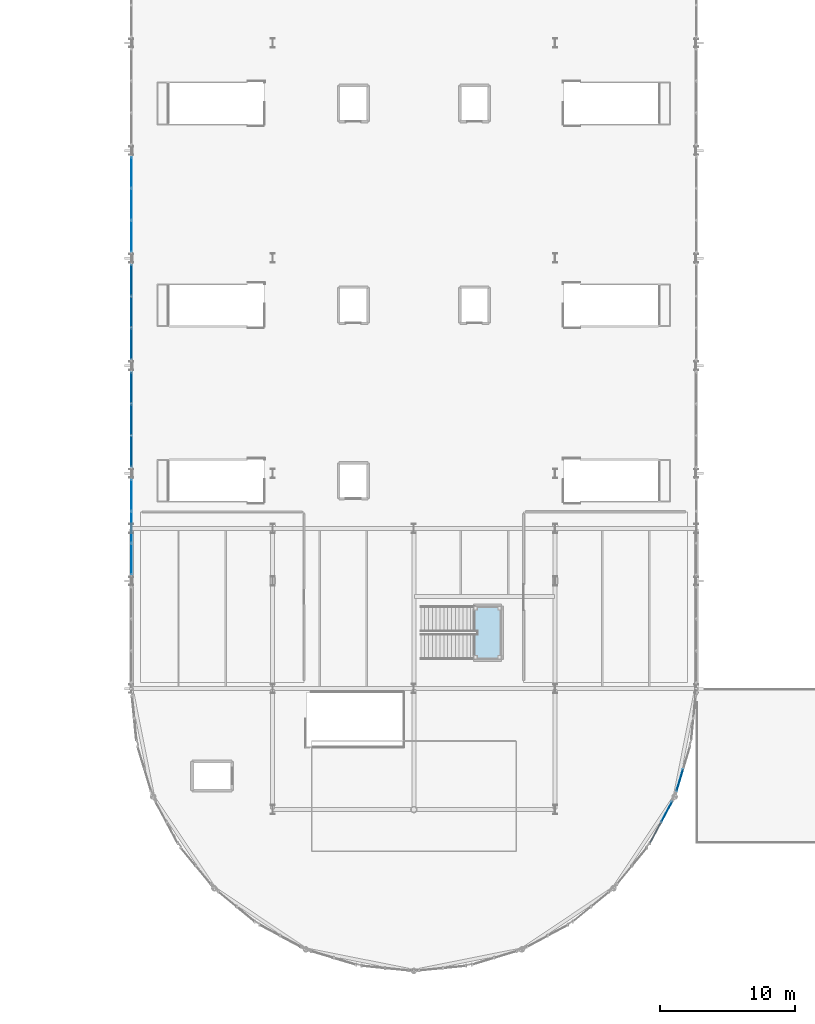
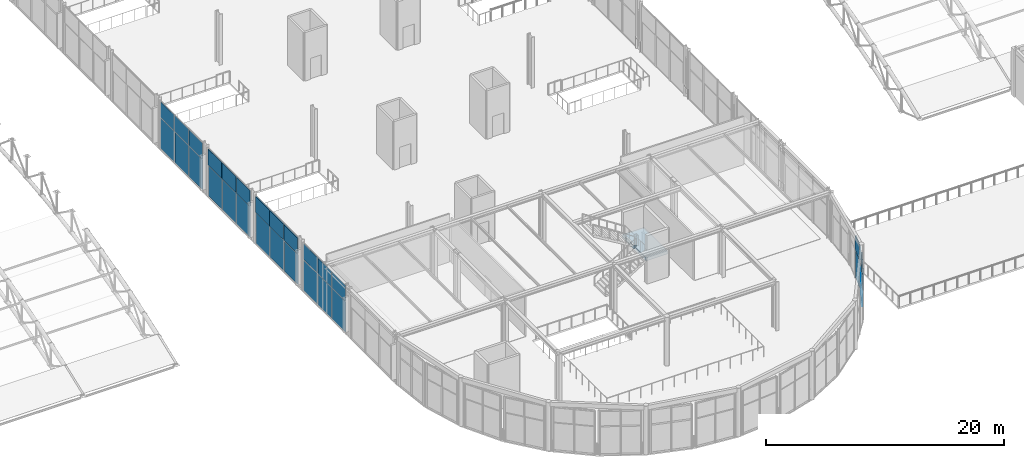
# One storey, part 97 of 195: 29 plates, 1 slab, 7 elements without a shape of their own.
"""IFC4 building model written with IfcOpenShell, lengths in metres."""

import ifcopenshell
import ifcopenshell.guid

model = None  # the IFC model being written
_history = None  # IfcOwnerHistory: only IFC2X3 demands one
_inside = {}  # id of a spatial element -> (the spatial element, [elements in it])
_under = {}  # id of a project, library or spatial element -> (it, [spatial elements below it])
_declared = {}  # id of a project -> (the project, [libraries it declares])
_typed = {}  # id of a type object -> (the type object, [elements of that type])
_made_of = {}  # id of a material, layer set ... -> (it, [elements and type objects made of it])


def new_model(schema):
    """Start an empty IFC model of exactly this schema.

    Asked for "IFC4X3", IfcOpenShell would pick the latest addendum, in which some entities
    have other attributes; the version numbers below select the first issue.
    IFC2X3 requires an IfcOwnerHistory on every rooted entity: one is made here for all.
    """
    global model, _history
    if schema == "IFC4X3":
        model = ifcopenshell.file(schema_version=(4, 3, 0, 0))
    else:
        model = ifcopenshell.file(schema=schema)
    _inside.clear()
    _under.clear()
    _declared.clear()
    _typed.clear()
    _made_of.clear()
    _history = None
    if model.schema == "IFC2X3":
        org = make("IfcOrganization", Name="unknown")
        user = make(
            "IfcPersonAndOrganization",
            ThePerson=make("IfcPerson", FamilyName="unknown"),
            TheOrganization=org,
        )
        app = make(
            "IfcApplication",
            ApplicationDeveloper=org,
            Version="unknown",
            ApplicationFullName="unknown",
            ApplicationIdentifier="unknown",
        )
        _history = make(
            "IfcOwnerHistory",
            OwningUser=user,
            OwningApplication=app,
            ChangeAction="ADDED",
            CreationDate=0,
        )
    return model


def make(cls, **values):
    """One entity of the class cls with the attributes given. An attribute that is None is left unset."""
    return model.create_entity(
        cls, **{name: value for name, value in values.items() if value is not None}
    )


def rooted(cls, **values):
    """An entity with a GlobalId (a new one), such as an element, a storey or a relation."""
    return make(cls, GlobalId=ifcopenshell.guid.new(), OwnerHistory=_history, **values)


def si_unit(unit_type, name, prefix=None):
    """IfcSIUnit, for example si_unit("LENGTHUNIT", "METRE", prefix="MILLI")."""
    return make("IfcSIUnit", UnitType=unit_type, Prefix=prefix, Name=name)


def assignment(units):
    """IfcUnitAssignment: the units of a project."""
    return None if units is None else make("IfcUnitAssignment", Units=units)


def point(xyz):
    """IfcCartesianPoint."""
    return None if xyz is None else make("IfcCartesianPoint", Coordinates=xyz)


def direction(xyz):
    """IfcDirection."""
    return None if xyz is None else make("IfcDirection", DirectionRatios=xyz)


def frame(location, z_axis=None, x_axis=None):
    """IfcAxis2Placement3D, a coordinate frame: its origin and axes. An axis left out is left unset."""
    return make(
        "IfcAxis2Placement3D",
        Location=point(location),
        Axis=direction(z_axis),
        RefDirection=direction(x_axis),
    )


def frame_2d(location, x_axis=None):
    """IfcAxis2Placement2D, a coordinate frame in the plane: its origin and x axis."""
    return make(
        "IfcAxis2Placement2D", Location=point(location), RefDirection=direction(x_axis)
    )


def origin():
    """The frame at (0, 0, 0) with its axes left unset."""
    return frame((0.0, 0.0, 0.0))


def origin_2d():
    """The frame at (0, 0) in the plane with its x axis left unset."""
    return frame_2d((0.0, 0.0))


def place(relative_to, where):
    """IfcLocalPlacement: puts the frame where relative to a parent placement (None: the world)."""
    return make(
        "IfcLocalPlacement", PlacementRelTo=relative_to, RelativePlacement=where
    )


def context(
    kind, dimensions, precision=None, world=None, true_north=None, identifier=None
):
    """IfcGeometricRepresentationContext, for example the 3D "Model" context."""
    return make(
        "IfcGeometricRepresentationContext",
        ContextIdentifier=identifier,
        ContextType=kind,
        CoordinateSpaceDimension=dimensions,
        Precision=precision,
        WorldCoordinateSystem=world,
        TrueNorth=true_north,
    )


def subcontext(parent, identifier, kind, view, scale=None):
    """IfcGeometricRepresentationSubContext, for example "Body" below "Model"."""
    return make(
        "IfcGeometricRepresentationSubContext",
        ContextIdentifier=identifier,
        ContextType=kind,
        ParentContext=parent,
        TargetScale=scale,
        TargetView=view,
    )


def project(units=None, contexts=None):
    """IfcProject with its units and contexts."""
    return rooted(
        "IfcProject",
        Name="project",
        RepresentationContexts=contexts,
        UnitsInContext=assignment(units),
    )


def spatial(cls, under=None, at=None, **own):
    """A site, building, storey or space (cls), placed at a placement, below another one or the project."""
    s = rooted(cls, ObjectPlacement=at, **own)
    if under is not None:
        _under.setdefault(under.id(), (under, []))[1].append(s)
    return s


def polyline(points):
    """IfcPolyline through the points."""
    return make("IfcPolyline", Points=[point(p) for p in points])


def profile(cls, at=None, kind="AREA", **sizes):
    """A parametric profile (cls). Its sizes go by their IFC names, for example OverallWidth=200.0."""
    return make(cls, ProfileType=kind, Position=at, **sizes)


def rectangle(**sizes):
    """IfcRectangleProfileDef."""
    return profile("IfcRectangleProfileDef", **sizes)


def outline(outer, holes=None, kind="AREA"):
    """IfcArbitraryClosedProfileDef: a profile drawn as a closed curve; with holes, ...WithVoids."""
    if holes is None:
        return make("IfcArbitraryClosedProfileDef", ProfileType=kind, OuterCurve=outer)
    return make(
        "IfcArbitraryProfileDefWithVoids",
        ProfileType=kind,
        OuterCurve=outer,
        InnerCurves=holes,
    )


def extrude(swept, where, along, depth):
    """IfcExtrudedAreaSolid: the profile swept, set in the frame where, extruded along a direction by depth."""
    return make(
        "IfcExtrudedAreaSolid",
        SweptArea=swept,
        Position=where,
        ExtrudedDirection=direction(along),
        Depth=depth,
    )


def shape(context_of_items, identifier, shape_type, items):
    """IfcShapeRepresentation: the items that make up one representation, for example the "Body"."""
    return make(
        "IfcShapeRepresentation",
        ContextOfItems=context_of_items,
        RepresentationIdentifier=identifier,
        RepresentationType=shape_type,
        Items=items,
    )


def material(Name=None, Category=None):
    """IfcMaterial."""
    return make("IfcMaterial", Name=Name, Category=Category)


def layer(
    of_material, thickness, ventilated=None, Name=None, Category=None, Priority=None
):
    """IfcMaterialLayer: one layer of a wall or slab, of a material (None: an air gap)."""
    return make(
        "IfcMaterialLayer",
        Material=of_material,
        LayerThickness=thickness,
        IsVentilated=ventilated,
        Name=Name,
        Category=Category,
        Priority=Priority,
    )


def layer_set(layers, Name=None):
    """IfcMaterialLayerSet."""
    return make("IfcMaterialLayerSet", MaterialLayers=layers, LayerSetName=Name)


def made_of(thing, what):
    """Note that an element or type object is made of a material, layer set ...; save() writes the relation."""
    if what is not None:
        _made_of.setdefault(what.id(), (what, []))[1].append(thing)
    return thing


def type_object(cls, material=None, **own):
    """A type object (cls), such as IfcWallType, which elements share."""
    return made_of(rooted(cls, **own), material)


def element(
    cls,
    number,
    at=None,
    inside=None,
    cuts=None,
    type_object=None,
    material=None,
    context=None,
    identifier="Body",
    shape_type=None,
    held_by="IfcProductDefinitionShape",
    body=None,
    shapes=None,
    **own,
):
    """One element of the class cls, such as IfcWall. Its Tag is "e" and its number.

    at: its placement. inside: the storey or other place that contains it. cuts: it is an
    opening in that element (IfcRelVoidsElement). A single representation is given by context,
    identifier, shape_type and body (its items); several are given by shapes. held_by: the class
    of the entity that holds the representations. save() writes the other relations.
    """
    e = rooted(cls, Tag="e%d" % number, ObjectPlacement=at, **own)
    if body is not None:
        shapes = [shape(context, identifier, shape_type, body)]
    if shapes is not None:
        e.Representation = make(held_by, Representations=shapes)
    if inside is not None:
        _inside.setdefault(inside.id(), (inside, []))[1].append(e)
    if cuts is not None:
        rooted(
            "IfcRelVoidsElement", RelatingBuildingElement=cuts, RelatedOpeningElement=e
        )
    if type_object is not None:
        _typed.setdefault(type_object.id(), (type_object, []))[1].append(e)
    return made_of(e, material)


def aggregate(whole, parts):
    """IfcRelAggregates: a whole, such as a stair, and the parts it consists of."""
    return rooted("IfcRelAggregates", RelatingObject=whole, RelatedObjects=parts)


def save(model, path):
    """Write the relations noted so far, then the file.

    IfcRelAggregates (storeys below a building ...), IfcRelContainedInSpatialStructure (elements
    in a storey), IfcRelDefinesByType, IfcRelAssociatesMaterial and IfcRelDeclares: one each for
    every whole, place, type object, material and project.
    """
    for whole, parts in _under.values():
        aggregate(whole, parts)
    for where, things in _inside.values():
        rooted(
            "IfcRelContainedInSpatialStructure",
            RelatedElements=things,
            RelatingStructure=where,
        )
    for kind, things in _typed.values():
        rooted("IfcRelDefinesByType", RelatedObjects=things, RelatingType=kind)
    for what, things in _made_of.values():
        rooted("IfcRelAssociatesMaterial", RelatedObjects=things, RelatingMaterial=what)
    for by, libraries in _declared.values():
        rooted("IfcRelDeclares", RelatingContext=by, RelatedDefinitions=libraries)
    model.write(path)


model = new_model("IFC4")

# Units and contexts
model_context = context("Model", 3, precision=1e-05, world=origin(), true_north=direction((0.0, 1.0)))
body_context = subcontext(model_context, "Body", "Model", "MODEL_VIEW")
ifc_project = project(units=[si_unit("LENGTHUNIT", "METRE"), si_unit("AREAUNIT", "SQUARE_METRE"), si_unit("VOLUMEUNIT", "CUBIC_METRE"), si_unit("PLANEANGLEUNIT", "RADIAN"), si_unit("MASSUNIT", "GRAM", prefix="KILO")], contexts=[model_context])

# Site, building, storey
site_placement = place(None, origin())
site = spatial("IfcSite", under=ifc_project, at=site_placement, CompositionType="ELEMENT")
building_placement = place(site_placement, origin())
building = spatial("IfcBuilding", under=site, at=building_placement, Name="Marlcrest Central Station", CompositionType="ELEMENT")
storey_placement = place(building_placement, frame((0.0, 0.0, 9.800048828125)))
storey = spatial("IfcBuildingStorey", under=building, at=storey_placement, Name="L02", CompositionType="ELEMENT", Elevation=9.800048828125)

# Curtain wall, plate
ifc_material_1 = material(Name="Anodised aluminium and hurricane laminated glass", Category="aluminium")
ifc_layer_1 = layer(ifc_material_1, 0.219970703125, Name="CW-U1")
ifc_layer_set_1 = layer_set([ifc_layer_1], Name="Anodised aluminium and hurricane laminated glass")
curtain_wall_type = type_object("IfcCurtainWallType", Name="CW-U1", PredefinedType="USERDEFINED", material=ifc_layer_set_1)
curtain_wall_1_placement = place(storey_placement, origin())
curtain_wall_1 = element("IfcCurtainWall", 1, at=curtain_wall_1_placement, inside=storey, type_object=curtain_wall_type, Name="cw-L02-0038", ObjectType="UNITISED_CURTAIN_WALL", PredefinedType="USERDEFINED")
ifc_material_2 = material(Name="Hurricane laminated solar-control glass", Category="glass")
ifc_layer_2 = layer(ifc_material_2, 0.031982421875, Name="CP-01")
ifc_layer_set_2 = layer_set([ifc_layer_2], Name="Hurricane laminated solar-control glass")
plate_type_1 = type_object("IfcPlateType", Name="CP-01", PredefinedType="CURTAIN_PANEL", material=ifc_layer_set_2)
plate_1_placement = place(storey_placement, frame((126.79736328125, 13.33447265625, 0.080078125), z_axis=(0.0, 0.0, 1.0), x_axis=(-0.471242805349, -0.882003525167, 0.0)))
plate_1 = element("IfcPlate", 2, at=plate_1_placement, type_object=plate_type_1, Name="cw-L02-0038-cp-lo-0", PredefinedType="CURTAIN_PANEL", context=body_context, shape_type="SweptSolid", body=[
    extrude(rectangle(XDim=1.677490234375, YDim=0.031982421875, at=origin_2d()), origin(), (0.0, 0.0, 1.0), 2.804931640625),
])

curtain_wall_2_placement = place(storey_placement, origin())
curtain_wall_2 = element("IfcCurtainWall", 3, at=curtain_wall_2_placement, inside=storey, type_object=curtain_wall_type, Name="cw-L02-0039", ObjectType="UNITISED_CURTAIN_WALL", PredefinedType="USERDEFINED")
plate_2_placement = place(storey_placement, frame((127.772705078125, 15.689453125, 0.080078125), z_axis=(0.0, 0.0, 1.0), x_axis=(-0.290318080597, -0.956930202302, 0.0)))
plate_2 = element("IfcPlate", 4, at=plate_2_placement, type_object=plate_type_1, Name="cw-L02-0039-cp-lo-1", PredefinedType="CURTAIN_PANEL", context=body_context, shape_type="SweptSolid", body=[
    extrude(rectangle(XDim=1.67724609375, YDim=0.031982421875, at=origin_2d()), origin(), (0.0, 0.0, 1.0), 2.804931640625),
])

# Curtain wall, plates
curtain_wall_3_placement = place(storey_placement, origin())
curtain_wall_3 = element("IfcCurtainWall", 5, at=curtain_wall_3_placement, inside=storey, type_object=curtain_wall_type, Name="cw-L02-0103", ObjectType="UNITISED_CURTAIN_WALL", PredefinedType="USERDEFINED")
plate_3_placement = place(storey_placement, frame((87.0, 32.13330078125, 0.080078125), z_axis=(0.0, 0.0, 1.0), x_axis=(0.0, 1.0, 0.0)))
plate_3 = element("IfcPlate", 6, at=plate_3_placement, type_object=plate_type_1, Name="cw-L02-0103-cp-lo-0", PredefinedType="CURTAIN_PANEL", context=body_context, shape_type="SweptSolid", body=[
    extrude(rectangle(XDim=2.290771484375, YDim=0.031982421875, at=origin_2d()), origin(), (0.0, 0.0, 1.0), 3.097900390625),
])
plate_4_placement = place(storey_placement, frame((87.0, 34.5, 0.080078125), z_axis=(0.0, 0.0, 1.0), x_axis=(0.0, 1.0, 0.0)))
plate_4 = element("IfcPlate", 7, at=plate_4_placement, type_object=plate_type_1, Name="cw-L02-0103-cp-lo-1", PredefinedType="CURTAIN_PANEL", context=body_context, shape_type="SweptSolid", body=[
    extrude(rectangle(XDim=2.290771484375, YDim=0.031982421875, at=origin_2d()), origin(), (0.0, 0.0, 1.0), 3.097900390625),
])
plate_5_placement = place(storey_placement, frame((87.0, 36.86669921875, 0.080078125), z_axis=(0.0, 0.0, 1.0), x_axis=(0.0, 1.0, 0.0)))
plate_5 = element("IfcPlate", 8, at=plate_5_placement, type_object=plate_type_1, Name="cw-L02-0103-cp-lo-2", PredefinedType="CURTAIN_PANEL", context=body_context, shape_type="SweptSolid", body=[
    extrude(rectangle(XDim=2.290771484375, YDim=0.031982421875, at=origin_2d()), origin(), (0.0, 0.0, 1.0), 3.097900390625),
])

curtain_wall_4_placement = place(storey_placement, origin())
curtain_wall_4 = element("IfcCurtainWall", 9, at=curtain_wall_4_placement, inside=storey, type_object=curtain_wall_type, Name="cw-L02-0107", ObjectType="UNITISED_CURTAIN_WALL", PredefinedType="USERDEFINED")
plate_6_placement = place(storey_placement, frame((87.0, 40.13330078125, 0.080078125), z_axis=(0.0, 0.0, 1.0), x_axis=(0.0, 1.0, 0.0)))
plate_6 = element("IfcPlate", 10, at=plate_6_placement, type_object=plate_type_1, Name="cw-L02-0107-cp-lo-0", PredefinedType="CURTAIN_PANEL", context=body_context, shape_type="SweptSolid", body=[
    extrude(rectangle(XDim=2.290771484375, YDim=0.031982421875, at=origin_2d()), origin(), (0.0, 0.0, 1.0), 3.097900390625),
])
plate_7_placement = place(storey_placement, frame((87.0, 42.5, 0.080078125), z_axis=(0.0, 0.0, 1.0), x_axis=(0.0, 1.0, 0.0)))
plate_7 = element("IfcPlate", 11, at=plate_7_placement, type_object=plate_type_1, Name="cw-L02-0107-cp-lo-1", PredefinedType="CURTAIN_PANEL", context=body_context, shape_type="SweptSolid", body=[
    extrude(rectangle(XDim=2.290771484375, YDim=0.031982421875, at=origin_2d()), origin(), (0.0, 0.0, 1.0), 3.097900390625),
])
plate_8_placement = place(storey_placement, frame((87.0, 44.86669921875, 0.080078125), z_axis=(0.0, 0.0, 1.0), x_axis=(0.0, 1.0, 0.0)))
plate_8 = element("IfcPlate", 12, at=plate_8_placement, type_object=plate_type_1, Name="cw-L02-0107-cp-lo-2", PredefinedType="CURTAIN_PANEL", context=body_context, shape_type="SweptSolid", body=[
    extrude(rectangle(XDim=2.290771484375, YDim=0.031982421875, at=origin_2d()), origin(), (0.0, 0.0, 1.0), 3.097900390625),
])

curtain_wall_5_placement = place(storey_placement, origin())
curtain_wall_5 = element("IfcCurtainWall", 13, at=curtain_wall_5_placement, inside=storey, type_object=curtain_wall_type, Name="cw-L02-0111", ObjectType="UNITISED_CURTAIN_WALL", PredefinedType="USERDEFINED")
plate_9_placement = place(storey_placement, frame((87.0, 48.13330078125, 0.080078125), z_axis=(0.0, 0.0, 1.0), x_axis=(0.0, 1.0, 0.0)))
plate_9 = element("IfcPlate", 14, at=plate_9_placement, type_object=plate_type_1, Name="cw-L02-0111-cp-lo-0", PredefinedType="CURTAIN_PANEL", context=body_context, shape_type="SweptSolid", body=[
    extrude(rectangle(XDim=2.290771484375, YDim=0.031982421875, at=origin_2d()), origin(), (0.0, 0.0, 1.0), 3.097900390625),
])
plate_10_placement = place(storey_placement, frame((87.0, 50.5, 0.080078125), z_axis=(0.0, 0.0, 1.0), x_axis=(0.0, 1.0, 0.0)))
plate_10 = element("IfcPlate", 15, at=plate_10_placement, type_object=plate_type_1, Name="cw-L02-0111-cp-lo-1", PredefinedType="CURTAIN_PANEL", context=body_context, shape_type="SweptSolid", body=[
    extrude(rectangle(XDim=2.290771484375, YDim=0.031982421875, at=origin_2d()), origin(), (0.0, 0.0, 1.0), 3.097900390625),
])
plate_11_placement = place(storey_placement, frame((87.0, 52.86669921875, 0.080078125), z_axis=(0.0, 0.0, 1.0), x_axis=(0.0, 1.0, 0.0)))
plate_11 = element("IfcPlate", 16, at=plate_11_placement, type_object=plate_type_1, Name="cw-L02-0111-cp-lo-2", PredefinedType="CURTAIN_PANEL", context=body_context, shape_type="SweptSolid", body=[
    extrude(rectangle(XDim=2.290771484375, YDim=0.031982421875, at=origin_2d()), origin(), (0.0, 0.0, 1.0), 3.097900390625),
])

curtain_wall_6_placement = place(storey_placement, origin())
curtain_wall_6 = element("IfcCurtainWall", 17, at=curtain_wall_6_placement, inside=storey, type_object=curtain_wall_type, Name="cw-L02-0115", ObjectType="UNITISED_CURTAIN_WALL", PredefinedType="USERDEFINED")
plate_12_placement = place(storey_placement, frame((87.0, 56.13330078125, 0.080078125), z_axis=(0.0, 0.0, 1.0), x_axis=(0.0, 1.0, 0.0)))
plate_12 = element("IfcPlate", 18, at=plate_12_placement, type_object=plate_type_1, Name="cw-L02-0115-cp-lo-0", PredefinedType="CURTAIN_PANEL", context=body_context, shape_type="SweptSolid", body=[
    extrude(rectangle(XDim=2.290771484375, YDim=0.031982421875, at=origin_2d()), origin(), (0.0, 0.0, 1.0), 3.097900390625),
])
plate_13_placement = place(storey_placement, frame((87.0, 58.5, 0.080078125), z_axis=(0.0, 0.0, 1.0), x_axis=(0.0, 1.0, 0.0)))
plate_13 = element("IfcPlate", 19, at=plate_13_placement, type_object=plate_type_1, Name="cw-L02-0115-cp-lo-1", PredefinedType="CURTAIN_PANEL", context=body_context, shape_type="SweptSolid", body=[
    extrude(rectangle(XDim=2.290771484375, YDim=0.031982421875, at=origin_2d()), origin(), (0.0, 0.0, 1.0), 3.097900390625),
])
plate_14_placement = place(storey_placement, frame((87.0, 60.86669921875, 0.080078125), z_axis=(0.0, 0.0, 1.0), x_axis=(0.0, 1.0, 0.0)))
plate_14 = element("IfcPlate", 20, at=plate_14_placement, type_object=plate_type_1, Name="cw-L02-0115-cp-lo-2", PredefinedType="CURTAIN_PANEL", context=body_context, shape_type="SweptSolid", body=[
    extrude(rectangle(XDim=2.290771484375, YDim=0.031982421875, at=origin_2d()), origin(), (0.0, 0.0, 1.0), 3.097900390625),
])

# Plate
ifc_material_3 = material(Name="Insulated bronze-anodised aluminium spandrel panel", Category="aluminium")
ifc_layer_3 = layer(ifc_material_3, 0.050048828125, Name="CP-05")
ifc_layer_set_3 = layer_set([ifc_layer_3], Name="Insulated bronze-anodised aluminium spandrel panel")
plate_type_2 = type_object("IfcPlateType", Name="CP-05", PredefinedType="CURTAIN_PANEL", material=ifc_layer_set_3)
plate_15_placement = place(storey_placement, frame((87.0, 32.13330078125, 3.2578125), z_axis=(0.0, 0.0, 1.0), x_axis=(0.0, 1.0, 0.0)))
plate_15 = element("IfcPlate", 21, at=plate_15_placement, type_object=plate_type_2, Name="cw-L02-0103-cp-hi-0", PredefinedType="CURTAIN_PANEL", context=body_context, shape_type="SweptSolid", body=[
    extrude(rectangle(XDim=2.290771484375, YDim=0.050048828125, at=origin_2d()), origin(), (0.0, 0.0, 1.0), 1.612060546875),
])

plate_16_placement = place(storey_placement, frame((87.0, 34.5, 3.2578125), z_axis=(0.0, 0.0, 1.0), x_axis=(0.0, 1.0, 0.0)))
plate_16 = element("IfcPlate", 22, at=plate_16_placement, type_object=plate_type_2, Name="cw-L02-0103-cp-hi-1", PredefinedType="CURTAIN_PANEL", context=body_context, shape_type="SweptSolid", body=[
    extrude(rectangle(XDim=2.290771484375, YDim=0.050048828125, at=origin_2d()), origin(), (0.0, 0.0, 1.0), 1.612060546875),
])

plate_17_placement = place(storey_placement, frame((87.0, 36.86669921875, 3.2578125), z_axis=(0.0, 0.0, 1.0), x_axis=(0.0, 1.0, 0.0)))
plate_17 = element("IfcPlate", 23, at=plate_17_placement, type_object=plate_type_2, Name="cw-L02-0103-cp-hi-2", PredefinedType="CURTAIN_PANEL", context=body_context, shape_type="SweptSolid", body=[
    extrude(rectangle(XDim=2.290771484375, YDim=0.050048828125, at=origin_2d()), origin(), (0.0, 0.0, 1.0), 1.612060546875),
])

aggregate(curtain_wall_3, [plate_3, plate_15, plate_4, plate_16, plate_5, plate_17])

plate_18_placement = place(storey_placement, frame((87.0, 56.13330078125, 3.2578125), z_axis=(0.0, 0.0, 1.0), x_axis=(0.0, 1.0, 0.0)))
plate_18 = element("IfcPlate", 24, at=plate_18_placement, type_object=plate_type_2, Name="cw-L02-0115-cp-hi-0", PredefinedType="CURTAIN_PANEL", context=body_context, shape_type="SweptSolid", body=[
    extrude(rectangle(XDim=2.290771484375, YDim=0.050048828125, at=origin_2d()), origin(), (0.0, 0.0, 1.0), 1.612060546875),
])

plate_19_placement = place(storey_placement, frame((87.0, 58.5, 3.2578125), z_axis=(0.0, 0.0, 1.0), x_axis=(0.0, 1.0, 0.0)))
plate_19 = element("IfcPlate", 25, at=plate_19_placement, type_object=plate_type_2, Name="cw-L02-0115-cp-hi-1", PredefinedType="CURTAIN_PANEL", context=body_context, shape_type="SweptSolid", body=[
    extrude(rectangle(XDim=2.290771484375, YDim=0.050048828125, at=origin_2d()), origin(), (0.0, 0.0, 1.0), 1.612060546875),
])

plate_20_placement = place(storey_placement, frame((87.0, 60.86669921875, 3.2578125), z_axis=(0.0, 0.0, 1.0), x_axis=(0.0, 1.0, 0.0)))
plate_20 = element("IfcPlate", 26, at=plate_20_placement, type_object=plate_type_2, Name="cw-L02-0115-cp-hi-2", PredefinedType="CURTAIN_PANEL", context=body_context, shape_type="SweptSolid", body=[
    extrude(rectangle(XDim=2.290771484375, YDim=0.050048828125, at=origin_2d()), origin(), (0.0, 0.0, 1.0), 1.612060546875),
])

aggregate(curtain_wall_6, [plate_12, plate_18, plate_13, plate_19, plate_14, plate_20])

ifc_material_4 = material(Name="Insulated acoustic spandrel panel")
ifc_layer_4 = layer(ifc_material_4, 0.074951171875, Name="CP-06")
ifc_layer_set_4 = layer_set([ifc_layer_4], Name="Insulated acoustic spandrel panel")
plate_type_3 = type_object("IfcPlateType", Name="CP-06", PredefinedType="CURTAIN_PANEL", material=ifc_layer_set_4)
plate_21_placement = place(storey_placement, frame((126.79736328125, 13.33447265625, 2.96484375), z_axis=(0.0, 0.0, 1.0), x_axis=(-0.471242805349, -0.882003525167, 0.0)))
plate_21 = element("IfcPlate", 27, at=plate_21_placement, type_object=plate_type_3, Name="cw-L02-0038-cp-hi-0", PredefinedType="CURTAIN_PANEL", context=body_context, shape_type="SweptSolid", body=[
    extrude(rectangle(XDim=1.677490234375, YDim=0.074951171875, at=origin_2d()), origin(), (0.0, 0.0, 1.0), 1.455078125),
])

plate_22_placement = place(storey_placement, frame((125.97119140625, 11.787841796875, 2.96484375), z_axis=(0.0, 0.0, 1.0), x_axis=(-0.471242805349, -0.882003525167, 0.0)))
plate_22 = element("IfcPlate", 28, at=plate_22_placement, type_object=plate_type_3, Name="cw-L02-0038-cp-hi-1", PredefinedType="CURTAIN_PANEL", context=body_context, shape_type="SweptSolid", body=[
    extrude(rectangle(XDim=1.677490234375, YDim=0.074951171875, at=origin_2d()), origin(), (0.0, 0.0, 1.0), 1.455078125),
])

aggregate(curtain_wall_1, [plate_1, plate_21, plate_22])

ifc_material_5 = material(Name="Insulated hurricane-rated spandrel panel")
ifc_layer_5 = layer(ifc_material_5, 0.090087890625, Name="CP-07")
ifc_layer_set_5 = layer_set([ifc_layer_5], Name="Insulated hurricane-rated spandrel panel")
plate_type_4 = type_object("IfcPlateType", Name="CP-07", PredefinedType="CURTAIN_PANEL", material=ifc_layer_set_5)
plate_23_placement = place(storey_placement, frame((127.772705078125, 15.689453125, 2.96484375), z_axis=(0.0, 0.0, 1.0), x_axis=(-0.290318080597, -0.956930202302, 0.0)))
plate_23 = element("IfcPlate", 29, at=plate_23_placement, type_object=plate_type_4, Name="cw-L02-0039-cp-hi-1", PredefinedType="CURTAIN_PANEL", context=body_context, shape_type="SweptSolid", body=[
    extrude(rectangle(XDim=1.67724609375, YDim=0.090087890625, at=origin_2d()), origin(), (0.0, 0.0, 1.0), 1.455078125),
])

aggregate(curtain_wall_2, [plate_2, plate_23])

plate_24_placement = place(storey_placement, frame((87.0, 48.13330078125, 3.2578125), z_axis=(0.0, 0.0, 1.0), x_axis=(0.0, 1.0, 0.0)))
plate_24 = element("IfcPlate", 30, at=plate_24_placement, type_object=plate_type_4, Name="cw-L02-0111-cp-hi-0", PredefinedType="CURTAIN_PANEL", context=body_context, shape_type="SweptSolid", body=[
    extrude(rectangle(XDim=2.290771484375, YDim=0.090087890625, at=origin_2d()), origin(), (0.0, 0.0, 1.0), 1.612060546875),
])

plate_25_placement = place(storey_placement, frame((87.0, 50.5, 3.2578125), z_axis=(0.0, 0.0, 1.0), x_axis=(0.0, 1.0, 0.0)))
plate_25 = element("IfcPlate", 31, at=plate_25_placement, type_object=plate_type_4, Name="cw-L02-0111-cp-hi-1", PredefinedType="CURTAIN_PANEL", context=body_context, shape_type="SweptSolid", body=[
    extrude(rectangle(XDim=2.290771484375, YDim=0.090087890625, at=origin_2d()), origin(), (0.0, 0.0, 1.0), 1.612060546875),
])

plate_26_placement = place(storey_placement, frame((87.0, 52.86669921875, 3.2578125), z_axis=(0.0, 0.0, 1.0), x_axis=(0.0, 1.0, 0.0)))
plate_26 = element("IfcPlate", 32, at=plate_26_placement, type_object=plate_type_4, Name="cw-L02-0111-cp-hi-2", PredefinedType="CURTAIN_PANEL", context=body_context, shape_type="SweptSolid", body=[
    extrude(rectangle(XDim=2.290771484375, YDim=0.090087890625, at=origin_2d()), origin(), (0.0, 0.0, 1.0), 1.612060546875),
])

aggregate(curtain_wall_5, [plate_9, plate_24, plate_10, plate_25, plate_11, plate_26])

ifc_material_6 = material(Name="Insulated fire-safing spandrel panel")
ifc_layer_6 = layer(ifc_material_6, 0.1201171875, Name="CP-09")
ifc_layer_set_6 = layer_set([ifc_layer_6], Name="Insulated fire-safing spandrel panel")
plate_type_5 = type_object("IfcPlateType", Name="CP-09", PredefinedType="CURTAIN_PANEL", material=ifc_layer_set_6)
plate_27_placement = place(storey_placement, frame((87.0, 40.13330078125, 3.2578125), z_axis=(0.0, 0.0, 1.0), x_axis=(0.0, 1.0, 0.0)))
plate_27 = element("IfcPlate", 33, at=plate_27_placement, type_object=plate_type_5, Name="cw-L02-0107-cp-hi-0", PredefinedType="CURTAIN_PANEL", context=body_context, shape_type="SweptSolid", body=[
    extrude(rectangle(XDim=2.290771484375, YDim=0.1201171875, at=origin_2d()), origin(), (0.0, 0.0, 1.0), 1.612060546875),
])

plate_28_placement = place(storey_placement, frame((87.0, 42.5, 3.2578125), z_axis=(0.0, 0.0, 1.0), x_axis=(0.0, 1.0, 0.0)))
plate_28 = element("IfcPlate", 34, at=plate_28_placement, type_object=plate_type_5, Name="cw-L02-0107-cp-hi-1", PredefinedType="CURTAIN_PANEL", context=body_context, shape_type="SweptSolid", body=[
    extrude(rectangle(XDim=2.290771484375, YDim=0.1201171875, at=origin_2d()), origin(), (0.0, 0.0, 1.0), 1.612060546875),
])

plate_29_placement = place(storey_placement, frame((87.0, 44.86669921875, 3.2578125), z_axis=(0.0, 0.0, 1.0), x_axis=(0.0, 1.0, 0.0)))
plate_29 = element("IfcPlate", 35, at=plate_29_placement, type_object=plate_type_5, Name="cw-L02-0107-cp-hi-2", PredefinedType="CURTAIN_PANEL", context=body_context, shape_type="SweptSolid", body=[
    extrude(rectangle(XDim=2.290771484375, YDim=0.1201171875, at=origin_2d()), origin(), (0.0, 0.0, 1.0), 1.612060546875),
])

aggregate(curtain_wall_4, [plate_6, plate_27, plate_7, plate_28, plate_8, plate_29])

# Stair, slab
ifc_material_7 = material(Name="Concrete C35/45", Category="concrete")
stair_type = type_object("IfcStairType", Name="ST-HTM", PredefinedType="HALF_TURN_STAIR", material=ifc_material_7)
stair_placement = place(storey_placement, origin())
stair = element("IfcStair", 36, at=stair_placement, inside=storey, type_object=stair_type, Name="ST-C21", PredefinedType="HALF_TURN_STAIR")
ifc_layer_7 = layer(ifc_material_7, 0.320068359375, Name="LS-01")
ifc_layer_set_7 = layer_set([ifc_layer_7], Name="Concrete C35/45")
slab_type = type_object("IfcSlabType", Name="LS-01", PredefinedType="LANDING", material=ifc_layer_set_7)
slab_placement = place(storey_placement, frame((0.0, 0.0, 2.280029296875)))
slab = element("IfcSlab", 37, at=slab_placement, type_object=slab_type, Name="ST-C21-L1", PredefinedType="LANDING", context=body_context, shape_type="SweptSolid", body=[
    extrude(outline(polyline([(112.429931640625, 24.669921875), (114.530029296875, 24.669921875), (114.530029296875, 28.6298828125), (112.429931640625, 28.6298828125), (112.429931640625, 26.7099609375), (112.679931640625, 26.7099609375), (112.679931640625, 26.590087890625), (112.429931640625, 26.590087890625), (112.429931640625, 24.669921875)])), origin(), (0.0, 0.0, 1.0), 0.31982421875),
])
aggregate(stair, [slab])

save(model, "model.ifc")
